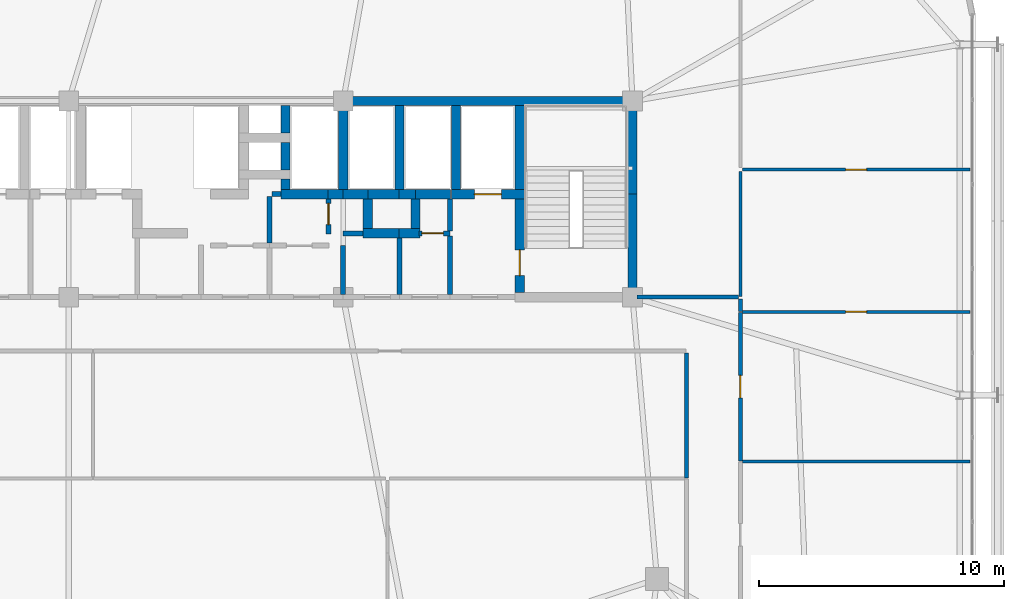
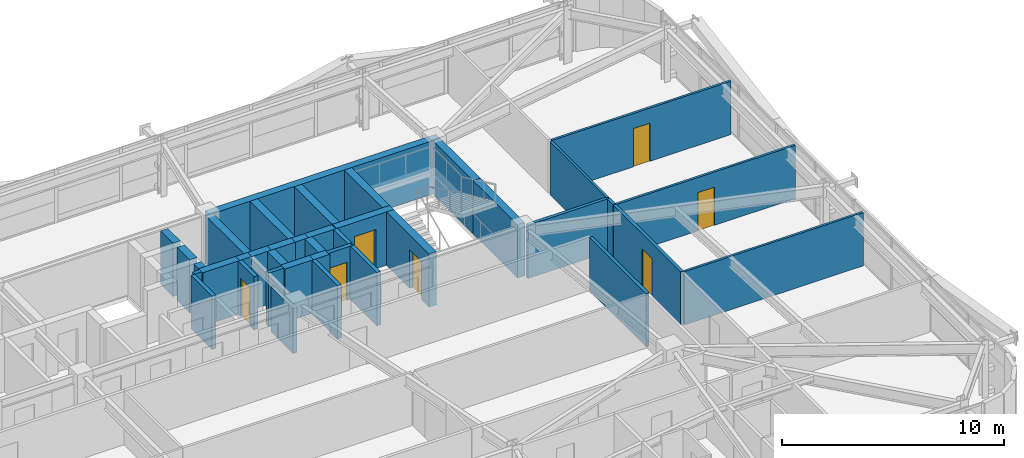
# One storey, part 55 of 59: 39 walls, 7 doors, 7 openings.
"""IFC4 building model written with IfcOpenShell, lengths in metres."""

from ifc_helpers import new_model, si_unit, direction, frame, frame_2d, origin, place, context, subcontext, project, spatial, rectangle, extrude, source, transform, mapped, material, layer, layer_set, type_object, element, fill, save


model = new_model("IFC4")

# Units and contexts
model_context = context("Model", 3, precision=1e-05, world=origin(), true_north=direction((0.0, 1.0)))
body_context = subcontext(model_context, "Body", "Model", "MODEL_VIEW")
ifc_project = project(units=[si_unit("LENGTHUNIT", "METRE"), si_unit("AREAUNIT", "SQUARE_METRE"), si_unit("VOLUMEUNIT", "CUBIC_METRE"), si_unit("PLANEANGLEUNIT", "RADIAN"), si_unit("MASSUNIT", "GRAM", prefix="KILO")], contexts=[model_context])

# Site, building, storey
site_placement = place(None, origin())
site = spatial("IfcSite", under=ifc_project, at=site_placement, CompositionType="ELEMENT")
building_placement = place(site_placement, origin())
building = spatial("IfcBuilding", under=site, at=building_placement, Name="Taldren Reach Tower", CompositionType="ELEMENT")
storey_placement = place(building_placement, frame((0.0, 0.0, 26.25)))
storey = spatial("IfcBuildingStorey", under=building, at=storey_placement, Name="L07", CompositionType="ELEMENT", Elevation=26.25)

# Walls
ifc_material_1 = material(Name="Concrete S80 (80 MPa)", Category="concrete")
ifc_layer_1 = layer(ifc_material_1, 0.3798828125)
ifc_layer_set_1 = layer_set([ifc_layer_1], Name="Concrete S80 (80 MPa)")
wall_type_1 = type_object("IfcWallType", Name="IW-CORE-380", PredefinedType="SHEAR", material=ifc_layer_set_1)
shared_shape_1 = source(origin(), body_context, "Body", "SweptSolid", [
    extrude(rectangle(XDim=11.989990234375, YDim=0.3798828125, at=frame_2d((5.9951171875, 0.0))), origin(), (0.0, 0.0, 1.0), 2.929931640625),
])
wall_1_placement = place(storey_placement, frame((39.199951171875, 32.0, 0.0), z_axis=(0.0, 0.0, 1.0), x_axis=(1.0, 0.0, 0.0)))
element("IfcWall", 1, at=wall_1_placement, inside=storey, type_object=wall_type_1, Name="Rear Core Shear Wall W-CORE-L07-NORTH3", PredefinedType="SHEAR", context=body_context, shape_type="MappedRepresentation", body=[
    mapped(shared_shape_1, transform((0.0, 0.0, 0.0), scale=1.0)),
])
shared_shape_2 = source(origin(), body_context, "Body", "SweptSolid", [
    extrude(rectangle(XDim=4.010009765625, YDim=0.3798828125, at=frame_2d((2.0048828125, 0.0))), origin(), (0.0, 0.0, 1.0), 2.929931640625),
])
wall_2_placement = place(storey_placement, frame((51.0, 24.18994140625, 0.0), z_axis=(0.0, 0.0, 1.0), x_axis=(0.0, 1.0, 0.0)))
element("IfcWall", 2, at=wall_2_placement, inside=storey, type_object=wall_type_1, Name="Rear Core Shear Wall W-CORE-L07-EAST1", PredefinedType="SHEAR", context=body_context, shape_type="MappedRepresentation", body=[
    mapped(shared_shape_2, transform((0.0, 0.0, 0.0), scale=1.0)),
])
shared_shape_3 = source(origin(), body_context, "Body", "SweptSolid", [
    extrude(rectangle(XDim=3.610107421875, YDim=0.3798828125, at=frame_2d((1.80517578125, 0.0))), origin(), (0.0, 0.0, 1.0), 2.929931640625),
])
wall_3_placement = place(storey_placement, frame((51.0, 28.199951171875, 0.0), z_axis=(0.0, 0.0, 1.0), x_axis=(0.0, 1.0, 0.0)))
element("IfcWall", 3, at=wall_3_placement, inside=storey, type_object=wall_type_1, Name="Rear Core Shear Wall W-CORE-L07-EAST2", PredefinedType="SHEAR", context=body_context, shape_type="MappedRepresentation", body=[
    mapped(shared_shape_3, transform((0.0, 0.0, 0.0), scale=1.0)),
])
shared_shape_4 = source(origin(), body_context, "Body", "SweptSolid", [
    extrude(rectangle(XDim=3.420166015625, YDim=0.3798828125, at=frame_2d((1.7099609375, 0.0))), origin(), (0.0, 0.0, 1.0), 2.929931640625),
])
for number, where, z_axis, x_axis, name in (
    (4, (46.39990234375, 31.81005859375, 0.0), (0.0, 0.0, 1.0), (0.0, -1.0, 0.0), "Rear Core Shear Wall W-INT-L07-008"),
    (5, (43.800048828125, 31.81005859375, 0.0), (0.0, 0.0, 1.0), (0.0, -1.0, 0.0), "Rear Core Shear Wall W-INT-L07-012"),
    (6, (39.199951171875, 28.389892578125, 0.0), (0.0, 0.0, 1.0), (0.0, 1.0, 0.0), "Rear Core Shear Wall W-INT-L07-037"),
    (7, (41.5, 28.389892578125, 0.0), (0.0, 0.0, 1.0), (0.0, 1.0, 0.0), "Rear Core Shear Wall W-INT-L07-041"),
):
    element("IfcWall", number, at=place(storey_placement, frame(where, z_axis=z_axis, x_axis=x_axis)), inside=storey, type_object=wall_type_1, Name=name, PredefinedType="SHEAR", context=body_context, shape_type="MappedRepresentation", body=[
        mapped(shared_shape_4, transform((0.0, 0.0, 0.0), scale=1.0)),
    ])

# Wall, opening, door
shared_shape_5 = source(origin(), body_context, "Body", "SweptSolid", [
    extrude(rectangle(XDim=3.820068359375, YDim=0.3798828125, at=frame_2d((1.91015625, 0.0))), origin(), (0.0, 0.0, 1.0), 2.929931640625),
])
wall_4_placement = place(storey_placement, frame((46.39990234375, 28.010009765625, 0.0), z_axis=(0.0, 0.0, 1.0), x_axis=(0.0, -1.0, 0.0)))
wall_4 = element("IfcWall", 8, at=wall_4_placement, inside=storey, type_object=wall_type_1, Name="Rear Core Shear Wall W-INT-L07-009", PredefinedType="SHEAR", context=body_context, shape_type="MappedRepresentation", body=[
    mapped(shared_shape_5, transform((0.0, 0.0, 0.0), scale=1.0)),
])
shared_shape_6 = source(origin(), body_context, "Body", "SweptSolid", [
    extrude(rectangle(XDim=1.050048828125, YDim=2.10009765625, at=frame_2d((0.52490234375, 1.050048828125))), frame((0.0, 0.199951171875, 0.0), z_axis=(0.0, -1.0, 0.0), x_axis=(1.0, 0.0, 0.0)), (0.0, 0.0, 1.0), 0.39990234375),
])
opening_1_placement = place(wall_4_placement, frame((2.0849609375, 0.0, 0.0)))
opening_1 = element("IfcOpeningElement", 9, at=opening_1_placement, cuts=wall_4, Name="Opening DF-105", PredefinedType="OPENING", context=body_context, shape_type="MappedRepresentation", body=[
    mapped(shared_shape_6, transform((0.0, 0.0, 0.0), scale=1.0)),
])
ifc_material_2 = material(Name="Fire-Rated Care and Stair Exit Door")
door_type_1 = type_object("IfcDoorType", Name="ID-FIRE-105", OperationType="NOTDEFINED", PredefinedType="DOOR", material=ifc_material_2)
shared_shape_7 = source(origin(), body_context, "Body", "SweptSolid", [
    extrude(rectangle(XDim=1.050048828125, YDim=2.10009765625, at=frame_2d((0.52490234375, 1.050048828125))), frame((0.0, 0.02490234375, 0.0), z_axis=(0.0, -1.0, 0.0), x_axis=(1.0, 0.0, 0.0)), (0.0, 0.0, 1.0), 0.050048828125),
])
door_1_placement = place(opening_1_placement, origin())
door_1 = element("IfcDoor", 10, at=door_1_placement, inside=storey, type_object=door_type_1, Name="Fire Exit Stair Door DR-L07-003", OperationType="SINGLE_SWING_RIGHT", OverallHeight=2.10009765625, OverallWidth=1.050048828125, PredefinedType="DOOR", context=body_context, shape_type="MappedRepresentation", body=[
    mapped(shared_shape_7, transform((0.0, 0.0, 0.0), scale=1.0)),
])
fill(opening_1, door_1)

shared_shape_8 = source(origin(), body_context, "Body", "SweptSolid", [
    extrude(rectangle(XDim=2.97998046875, YDim=0.3798828125, at=frame_2d((1.489990234375, 0.0))), origin(), (0.0, 0.0, 1.0), 2.929931640625),
])
wall_5_placement = place(storey_placement, frame((43.610107421875, 28.199951171875, 0.0), z_axis=(0.0, 0.0, 1.0), x_axis=(1.0, 0.0, 0.0)))
wall_5 = element("IfcWall", 11, at=wall_5_placement, inside=storey, type_object=wall_type_1, Name="Rear Core Shear Wall W-INT-L07-011", PredefinedType="SHEAR", context=body_context, shape_type="MappedRepresentation", body=[
    mapped(shared_shape_8, transform((0.0, 0.0, 0.0), scale=1.0)),
])
shared_shape_9 = source(origin(), body_context, "Body", "SweptSolid", [
    extrude(rectangle(XDim=1.10009765625, YDim=2.14990234375, at=frame_2d((0.550048828125, 1.074951171875))), frame((0.0, 0.199951171875, 0.0), z_axis=(0.0, -1.0, 0.0), x_axis=(1.0, 0.0, 0.0)), (0.0, 0.0, 1.0), 0.39990234375),
])
opening_2_placement = place(wall_5_placement, frame((0.93994140625, 0.0, 0.0)))
opening_2 = element("IfcOpeningElement", 12, at=opening_2_placement, cuts=wall_5, Name="Opening LD-FL2", PredefinedType="OPENING", context=body_context, shape_type="MappedRepresentation", body=[
    mapped(shared_shape_9, transform((0.0, 0.0, 0.0), scale=1.0)),
])
ifc_material_3 = material(Name="Stainless Steel Gr 316 Emergency Lift Landing Door", Category="steel")
door_type_2 = type_object("IfcDoorType", Name="LD-EMG-110", OperationType="SLIDING_TO_LEFT", PredefinedType="DOOR", material=ifc_material_3)
shared_shape_10 = source(origin(), body_context, "Body", "SweptSolid", [
    extrude(rectangle(XDim=1.10009765625, YDim=2.14990234375, at=frame_2d((0.550048828125, 1.074951171875))), frame((0.0, 0.02490234375, 0.0), z_axis=(0.0, -1.0, 0.0), x_axis=(1.0, 0.0, 0.0)), (0.0, 0.0, 1.0), 0.050048828125),
])
door_2_placement = place(opening_2_placement, origin())
door_2 = element("IfcDoor", 13, at=door_2_placement, inside=storey, type_object=door_type_2, Name="Lift Landing Door LD-FL2-L07", OperationType="SLIDING_TO_LEFT", OverallHeight=2.14990234375, OverallWidth=1.10009765625, PredefinedType="DOOR", context=body_context, shape_type="MappedRepresentation", body=[
    mapped(shared_shape_10, transform((0.0, 0.0, 0.0), scale=1.0)),
])
fill(opening_2, door_2)

# Walls
shared_shape_11 = source(origin(), body_context, "Body", "SweptSolid", [
    extrude(rectangle(XDim=1.1201171875, YDim=0.3798828125, at=frame_2d((0.56005859375, 0.0))), origin(), (0.0, 0.0, 1.0), 2.929931640625),
])
for number, where, z_axis, x_axis, name in (
    (14, (36.85009765625, 30.68994140625, 0.0), (0.0, 0.0, 1.0), (0.0, 1.0, 0.0), "Rear Core Shear Wall W-INT-L07-018"),
    (15, (36.85009765625, 29.18994140625, 0.0), (0.0, 0.0, 1.0), (0.0, 1.0, 0.0), "Rear Core Shear Wall W-INT-L07-020"),
):
    element("IfcWall", number, at=place(storey_placement, frame(where, z_axis=z_axis, x_axis=x_axis)), inside=storey, type_object=wall_type_1, Name=name, PredefinedType="SHEAR", context=body_context, shape_type="MappedRepresentation", body=[
        mapped(shared_shape_11, transform((0.0, 0.0, 0.0), scale=1.0)),
    ])
shared_shape_12 = source(origin(), body_context, "Body", "SweptSolid", [
    extrude(rectangle(XDim=1.219970703125, YDim=0.3798828125, at=frame_2d((0.60986328125, 0.0))), origin(), (0.0, 0.0, 1.0), 2.929931640625),
])
for number, where, z_axis, x_axis, name in (
    (16, (40.199951171875, 28.010009765625, 0.0), (0.0, 0.0, 1.0), (0.0, -1.0, 0.0), "Rear Core Shear Wall W-INT-L07-027"),
    (17, (42.14990234375, 26.7900390625, 0.0), (0.0, 0.0, 1.0), (0.0, 1.0, 0.0), "Rear Core Shear Wall W-INT-L07-029"),
):
    element("IfcWall", number, at=place(storey_placement, frame(where, z_axis=z_axis, x_axis=x_axis)), inside=storey, type_object=wall_type_1, Name=name, PredefinedType="SHEAR", context=body_context, shape_type="MappedRepresentation", body=[
        mapped(shared_shape_12, transform((0.0, 0.0, 0.0), scale=1.0)),
    ])
shared_shape_13 = source(origin(), body_context, "Body", "SweptSolid", [
    extrude(rectangle(XDim=1.320068359375, YDim=0.3798828125, at=frame_2d((0.66015625, 0.0))), origin(), (0.0, 0.0, 1.0), 2.929931640625),
])
wall_6_placement = place(storey_placement, frame((41.52001953125, 28.199951171875, 0.0), z_axis=(0.0, 0.0, 1.0), x_axis=(-1.0, 0.0, 0.0)))
element("IfcWall", 18, at=wall_6_placement, inside=storey, type_object=wall_type_1, Name="Rear Core Shear Wall W-INT-L07-024", PredefinedType="SHEAR", context=body_context, shape_type="MappedRepresentation", body=[
    mapped(shared_shape_13, transform((0.0, 0.0, 0.0), scale=1.0)),
])
shared_shape_14 = source(origin(), body_context, "Body", "SweptSolid", [
    extrude(rectangle(XDim=0.669921875, YDim=0.3798828125, at=frame_2d((0.3349609375, 0.0))), origin(), (0.0, 0.0, 1.0), 2.929931640625),
])
wall_7_placement = place(storey_placement, frame((42.14990234375, 28.199951171875, 0.0), z_axis=(0.0, 0.0, 1.0), x_axis=(-1.0, 0.0, 0.0)))
element("IfcWall", 19, at=wall_7_placement, inside=storey, type_object=wall_type_1, Name="Rear Core Shear Wall W-INT-L07-025", PredefinedType="SHEAR", context=body_context, shape_type="MappedRepresentation", body=[
    mapped(shared_shape_14, transform((0.0, 0.0, 0.0), scale=1.0)),
])
ifc_material_4 = material(Name="Concrete S50 (50 MPa)", Category="concrete")
ifc_layer_2 = layer(ifc_material_4, 0.199951171875)
ifc_layer_set_2 = layer_set([ifc_layer_2], Name="Concrete S50 (50 MPa)")
wall_type_2 = type_object("IfcWallType", Name="IW-CORE-200", PredefinedType="SOLIDWALL", material=ifc_layer_set_2)
shared_shape_15 = source(origin(), body_context, "Body", "SweptSolid", [
    extrude(rectangle(XDim=2.309814453125, YDim=0.199951171875, at=frame_2d((1.15478515625, 0.0))), origin(), (0.0, 0.0, 1.0), 2.929931640625),
])
wall_8_placement = place(storey_placement, frame((41.5, 26.409912109375, 0.0), z_axis=(0.0, 0.0, 1.0), x_axis=(0.0, -1.0, 0.0)))
element("IfcWall", 20, at=wall_8_placement, inside=storey, type_object=wall_type_2, Name="Rear Core Shear Wall W-INT-L07-056", PredefinedType="SOLIDWALL", context=body_context, shape_type="MappedRepresentation", body=[
    mapped(shared_shape_15, transform((0.0, 0.0, 0.0), scale=1.0)),
])
shared_shape_16 = source(origin(), body_context, "Body", "SweptSolid", [
    extrude(rectangle(XDim=0.420166015625, YDim=0.3798828125, at=frame_2d((0.2099609375, 0.0))), origin(), (0.0, 0.0, 1.0), 2.929931640625),
])
wall_9_placement = place(storey_placement, frame((36.85009765625, 28.81005859375, 0.0), z_axis=(0.0, 0.0, 1.0), x_axis=(0.0, -1.0, 0.0)))
element("IfcWall", 21, at=wall_9_placement, inside=storey, type_object=wall_type_1, Name="Rear Core Shear Wall W-INT-L07-038", PredefinedType="SHEAR", context=body_context, shape_type="MappedRepresentation", body=[
    mapped(shared_shape_16, transform((0.0, 0.0, 0.0), scale=1.0)),
])
shared_shape_17 = source(origin(), body_context, "Body", "SweptSolid", [
    extrude(rectangle(XDim=1.02001953125, YDim=0.3798828125, at=frame_2d((0.510009765625, 0.0))), origin(), (0.0, 0.0, 1.0), 2.929931640625),
])
wall_10_placement = place(storey_placement, frame((39.199951171875, 28.199951171875, 0.0), z_axis=(0.0, 0.0, 1.0), x_axis=(1.0, 0.0, 0.0)))
element("IfcWall", 22, at=wall_10_placement, inside=storey, type_object=wall_type_1, Name="Rear Core Shear Wall W-INT-L07-042", PredefinedType="SHEAR", context=body_context, shape_type="MappedRepresentation", body=[
    mapped(shared_shape_17, transform((0.0, 0.0, 0.0), scale=1.0)),
])
shared_shape_18 = source(origin(), body_context, "Body", "SweptSolid", [
    extrude(rectangle(XDim=1.440185546875, YDim=0.3798828125, at=frame_2d((0.72021484375, 0.0))), origin(), (0.0, 0.0, 1.0), 2.929931640625),
])
wall_11_placement = place(storey_placement, frame((42.1298828125, 28.199951171875, 0.0), z_axis=(0.0, 0.0, 1.0), x_axis=(1.0, 0.0, 0.0)))
element("IfcWall", 23, at=wall_11_placement, inside=storey, type_object=wall_type_1, Name="Rear Core Shear Wall W-INT-L07-043", PredefinedType="SHEAR", context=body_context, shape_type="MappedRepresentation", body=[
    mapped(shared_shape_18, transform((0.0, 0.0, 0.0), scale=1.0)),
])
shared_shape_19 = source(origin(), body_context, "Body", "SweptSolid", [
    extrude(rectangle(XDim=2.0, YDim=0.199951171875, at=frame_2d((1.0, 0.0))), origin(), (0.0, 0.0, 1.0), 2.469970703125),
])
wall_12_placement = place(storey_placement, frame((39.199951171875, 26.10009765625, 0.0), z_axis=(0.0, 0.0, 1.0), x_axis=(0.0, -1.0, 0.0)))
element("IfcWall", 24, at=wall_12_placement, inside=storey, type_object=wall_type_2, Name="Rear Core Shear Wall W-INT-L07-052", PredefinedType="SOLIDWALL", context=body_context, shape_type="MappedRepresentation", body=[
    mapped(shared_shape_19, transform((0.0, 0.0, 0.0), scale=1.0)),
])
ifc_material_5 = material(Name="Fire-Rated Acoustic Plasterboard Stud Wall", Category="gypsum")
ifc_layer_3 = layer(ifc_material_5, 0.159912109375)
ifc_layer_set_3 = layer_set([ifc_layer_3], Name="Fire-Rated Acoustic Plasterboard Stud Wall")
wall_type_3 = type_object("IfcWallType", Name="IW-FIRE-160", PredefinedType="PARTITIONING", material=ifc_layer_set_3)
shared_shape_20 = source(origin(), body_context, "Body", "SweptSolid", [
    extrude(rectangle(XDim=4.130126953125, YDim=0.159912109375, at=frame_2d((2.06494140625, 0.0))), origin(), (0.0, 0.0, 1.0), 2.929931640625),
])
wall_13_placement = place(storey_placement, frame((51.18994140625, 24.0, 0.0), z_axis=(0.0, 0.0, 1.0), x_axis=(1.0, 0.0, 0.0)))
element("IfcWall", 25, at=wall_13_placement, inside=storey, type_object=wall_type_3, Name="Interior Partition Wall W-INT-L07-076", PredefinedType="PARTITIONING", context=body_context, shape_type="MappedRepresentation", body=[
    mapped(shared_shape_20, transform((0.0, 0.0, 0.0), scale=1.0)),
])
shared_shape_21 = source(origin(), body_context, "Body", "SweptSolid", [
    extrude(rectangle(XDim=5.099853515625, YDim=0.159912109375, at=frame_2d((2.5498046875, 0.0))), origin(), (0.0, 0.0, 1.0), 2.929931640625),
])
wall_14_placement = place(storey_placement, frame((53.199951171875, 16.6201171875, 0.0), z_axis=(0.0, 0.0, 1.0), x_axis=(0.0, 1.0, 0.0)))
element("IfcWall", 26, at=wall_14_placement, inside=storey, type_object=wall_type_3, Name="Interior Partition Wall W-INT-L07-065", PredefinedType="PARTITIONING", context=body_context, shape_type="MappedRepresentation", body=[
    mapped(shared_shape_21, transform((0.0, 0.0, 0.0), scale=1.0)),
])
ifc_material_6 = material(Name="Insulated Residential Stud Partition", Category="gypsum")
ifc_layer_4 = layer(ifc_material_6, 0.1201171875)
ifc_layer_set_4 = layer_set([ifc_layer_4], Name="Insulated Residential Stud Partition")
wall_type_4 = type_object("IfcWallType", Name="IW-PART-120", PredefinedType="PARTITIONING", material=ifc_layer_set_4)
shared_shape_22 = source(origin(), body_context, "Body", "SweptSolid", [
    extrude(rectangle(XDim=9.2900390625, YDim=0.1201171875, at=frame_2d((4.64501953125, 0.0))), origin(), (0.0, 0.0, 1.0), 2.929931640625),
])
wall_15_placement = place(storey_placement, frame((55.47998046875, 17.300048828125, 0.0), z_axis=(0.0, 0.0, 1.0), x_axis=(1.0, 0.0, 0.0)))
element("IfcWall", 27, at=wall_15_placement, inside=storey, type_object=wall_type_4, Name="Interior Partition Wall W-INT-L07-118", PredefinedType="PARTITIONING", context=body_context, shape_type="MappedRepresentation", body=[
    mapped(shared_shape_22, transform((0.0, 0.0, 0.0), scale=1.0)),
])

# Wall, opening, door
wall_16_placement = place(storey_placement, frame((55.47998046875, 23.39990234375, 0.0), z_axis=(0.0, 0.0, 1.0), x_axis=(1.0, 0.0, 0.0)))
wall_16 = element("IfcWall", 28, at=wall_16_placement, inside=storey, type_object=wall_type_4, Name="Interior Partition Wall W-INT-L07-119", PredefinedType="PARTITIONING", context=body_context, shape_type="MappedRepresentation", body=[
    mapped(shared_shape_22, transform((0.0, 0.0, 0.0), scale=1.0)),
])
shared_shape_23 = source(origin(), body_context, "Body", "SweptSolid", [
    extrude(rectangle(XDim=0.860107421875, YDim=2.10009765625, at=frame_2d((0.43017578125, 1.050048828125))), frame((0.0, 0.070068359375, 0.0), z_axis=(0.0, -1.0, 0.0), x_axis=(1.0, 0.0, 0.0)), (0.0, 0.0, 1.0), 0.14013671875),
])
opening_3_placement = place(wall_16_placement, frame((4.215087890625, 0.0, 0.0)))
opening_3 = element("IfcOpeningElement", 29, at=opening_3_placement, cuts=wall_16, Name="Opening DI-086", PredefinedType="OPENING", context=body_context, shape_type="MappedRepresentation", body=[
    mapped(shared_shape_23, transform((0.0, 0.0, 0.0), scale=1.0)),
])
ifc_material_7 = material(Name="Timber Bathroom Door", Category="wood")
door_type_3 = type_object("IfcDoorType", Name="ID-INT-086", OperationType="NOTDEFINED", PredefinedType="DOOR", material=ifc_material_7)
shared_shape_24 = source(origin(), body_context, "Body", "SweptSolid", [
    extrude(rectangle(XDim=0.860107421875, YDim=2.10009765625, at=frame_2d((0.43017578125, 1.050048828125))), frame((0.0, 0.02490234375, 0.0), z_axis=(0.0, -1.0, 0.0), x_axis=(1.0, 0.0, 0.0)), (0.0, 0.0, 1.0), 0.050048828125),
])
door_3_placement = place(opening_3_placement, origin())
door_3 = element("IfcDoor", 30, at=door_3_placement, inside=storey, type_object=door_type_3, Name="Interior Door DR-L07-036", OperationType="SINGLE_SWING_LEFT", OverallHeight=2.10009765625, OverallWidth=0.860107421875, PredefinedType="DOOR", context=body_context, shape_type="MappedRepresentation", body=[
    mapped(shared_shape_24, transform((0.0, 0.0, 0.0), scale=1.0)),
])
fill(opening_3, door_3)

wall_17_placement = place(storey_placement, frame((55.47998046875, 29.199951171875, 0.0), z_axis=(0.0, 0.0, 1.0), x_axis=(1.0, 0.0, 0.0)))
wall_17 = element("IfcWall", 31, at=wall_17_placement, inside=storey, type_object=wall_type_4, Name="Interior Partition Wall W-INT-L07-120", PredefinedType="PARTITIONING", context=body_context, shape_type="MappedRepresentation", body=[
    mapped(shared_shape_22, transform((0.0, 0.0, 0.0), scale=1.0)),
])
opening_4_placement = place(wall_17_placement, frame((4.215087890625, 0.0, 0.0)))
opening_4 = element("IfcOpeningElement", 32, at=opening_4_placement, cuts=wall_17, Name="Opening DI-086", PredefinedType="OPENING", context=body_context, shape_type="MappedRepresentation", body=[
    mapped(shared_shape_23, transform((0.0, 0.0, 0.0), scale=1.0)),
])
door_4_placement = place(opening_4_placement, frame((0.860107421875, 0.0, 0.0), z_axis=(0.0, 0.0, 1.0), x_axis=(-1.0, 0.0, 0.0)))
door_4 = element("IfcDoor", 33, at=door_4_placement, inside=storey, type_object=door_type_3, Name="Interior Door DR-L07-037", OperationType="SINGLE_SWING_LEFT", OverallHeight=2.10009765625, OverallWidth=0.860107421875, PredefinedType="DOOR", context=body_context, shape_type="MappedRepresentation", body=[
    mapped(shared_shape_24, transform((0.0, 0.0, 0.0), scale=1.0)),
])
fill(opening_4, door_4)

# Walls
shared_shape_25 = source(origin(), body_context, "Body", "SweptSolid", [
    extrude(rectangle(XDim=2.39990234375, YDim=0.199951171875, at=frame_2d((1.199951171875, 0.0))), origin(), (0.0, 0.0, 1.0), 2.929931640625),
])
wall_18_placement = place(storey_placement, frame((43.550048828125, 26.5, 0.0), z_axis=(0.0, 0.0, 1.0), x_axis=(0.0, -1.0, 0.0)))
element("IfcWall", 34, at=wall_18_placement, inside=storey, type_object=wall_type_2, Name="Rear Core Shear Wall W-INT-L07-013", PredefinedType="SOLIDWALL", context=body_context, shape_type="MappedRepresentation", body=[
    mapped(shared_shape_25, transform((0.0, 0.0, 0.0), scale=1.0)),
])
shared_shape_26 = source(origin(), body_context, "Body", "SweptSolid", [
    extrude(rectangle(XDim=1.31005859375, YDim=0.199951171875, at=frame_2d((0.655029296875, 0.0))), origin(), (0.0, 0.0, 1.0), 2.929931640625),
])
wall_19_placement = place(storey_placement, frame((43.550048828125, 28.010009765625, 0.0), z_axis=(0.0, 0.0, 1.0), x_axis=(0.0, -1.0, 0.0)))
element("IfcWall", 35, at=wall_19_placement, inside=storey, type_object=wall_type_2, Name="Rear Core Shear Wall W-INT-L07-014", PredefinedType="SOLIDWALL", context=body_context, shape_type="MappedRepresentation", body=[
    mapped(shared_shape_26, transform((0.0, 0.0, 0.0), scale=1.0)),
])
shared_shape_27 = source(origin(), body_context, "Body", "SweptSolid", [
    extrude(rectangle(XDim=1.510009765625, YDim=0.3798828125, at=frame_2d((0.7548828125, 0.0))), origin(), (0.0, 0.0, 1.0), 2.929931640625),
])
wall_20_placement = place(storey_placement, frame((40.010009765625, 26.60009765625, 0.0), z_axis=(0.0, 0.0, 1.0), x_axis=(1.0, 0.0, 0.0)))
element("IfcWall", 36, at=wall_20_placement, inside=storey, type_object=wall_type_1, Name="Rear Core Shear Wall W-INT-L07-026", PredefinedType="SHEAR", context=body_context, shape_type="MappedRepresentation", body=[
    mapped(shared_shape_27, transform((0.0, 0.0, 0.0), scale=1.0)),
])
shared_shape_28 = source(origin(), body_context, "Body", "SweptSolid", [
    extrude(rectangle(XDim=0.860107421875, YDim=0.3798828125, at=frame_2d((0.43017578125, 0.0))), origin(), (0.0, 0.0, 1.0), 2.929931640625),
])
wall_21_placement = place(storey_placement, frame((41.47998046875, 26.60009765625, 0.0), z_axis=(0.0, 0.0, 1.0), x_axis=(1.0, 0.0, 0.0)))
element("IfcWall", 37, at=wall_21_placement, inside=storey, type_object=wall_type_1, Name="Rear Core Shear Wall W-INT-L07-028", PredefinedType="SHEAR", context=body_context, shape_type="MappedRepresentation", body=[
    mapped(shared_shape_28, transform((0.0, 0.0, 0.0), scale=1.0)),
])
shared_shape_29 = source(origin(), body_context, "Body", "SweptSolid", [
    extrude(rectangle(XDim=1.960205078125, YDim=0.3798828125, at=frame_2d((0.97998046875, 0.0))), origin(), (0.0, 0.0, 1.0), 2.929931640625),
])
wall_22_placement = place(storey_placement, frame((36.659912109375, 28.199951171875, 0.0), z_axis=(0.0, 0.0, 1.0), x_axis=(1.0, 0.0, 0.0)))
element("IfcWall", 38, at=wall_22_placement, inside=storey, type_object=wall_type_1, Name="Rear Core Shear Wall W-INT-L07-039", PredefinedType="SHEAR", context=body_context, shape_type="MappedRepresentation", body=[
    mapped(shared_shape_29, transform((0.0, 0.0, 0.0), scale=1.0)),
])
shared_shape_30 = source(origin(), body_context, "Body", "SweptSolid", [
    extrude(rectangle(XDim=0.619873046875, YDim=0.3798828125, at=frame_2d((0.31005859375, 0.0))), origin(), (0.0, 0.0, 1.0), 2.929931640625),
])
wall_23_placement = place(storey_placement, frame((38.580078125, 28.199951171875, 0.0), z_axis=(0.0, 0.0, 1.0), x_axis=(1.0, 0.0, 0.0)))
element("IfcWall", 39, at=wall_23_placement, inside=storey, type_object=wall_type_1, Name="Rear Core Shear Wall W-INT-L07-040", PredefinedType="SHEAR", context=body_context, shape_type="MappedRepresentation", body=[
    mapped(shared_shape_30, transform((0.0, 0.0, 0.0), scale=1.0)),
])
shared_shape_31 = source(origin(), body_context, "Body", "SweptSolid", [
    extrude(rectangle(XDim=1.900146484375, YDim=0.199951171875, at=frame_2d((0.9501953125, 0.0))), origin(), (0.0, 0.0, 1.0), 2.929931640625),
])
wall_24_placement = place(storey_placement, frame((36.199951171875, 28.10009765625, 0.0), z_axis=(0.0, 0.0, 1.0), x_axis=(0.0, -1.0, 0.0)))
element("IfcWall", 40, at=wall_24_placement, inside=storey, type_object=wall_type_2, Name="Rear Core Shear Wall W-INT-L07-049", PredefinedType="SOLIDWALL", context=body_context, shape_type="MappedRepresentation", body=[
    mapped(shared_shape_31, transform((0.0, 0.0, 0.0), scale=1.0)),
])
shared_shape_32 = source(origin(), body_context, "Body", "SweptSolid", [
    extrude(rectangle(XDim=0.35986328125, YDim=0.199951171875, at=frame_2d((0.179931640625, 0.0))), origin(), (0.0, 0.0, 1.0), 2.929931640625),
])
wall_25_placement = place(storey_placement, frame((36.659912109375, 28.199951171875, 0.0), z_axis=(0.0, 0.0, 1.0), x_axis=(-1.0, 0.0, 0.0)))
element("IfcWall", 41, at=wall_25_placement, inside=storey, type_object=wall_type_2, Name="Rear Core Shear Wall W-INT-L07-050", PredefinedType="SOLIDWALL", context=body_context, shape_type="MappedRepresentation", body=[
    mapped(shared_shape_32, transform((0.0, 0.0, 0.0), scale=1.0)),
])

# Wall, opening, door
shared_shape_33 = source(origin(), body_context, "Body", "SweptSolid", [
    extrude(rectangle(XDim=1.429931640625, YDim=0.199951171875, at=frame_2d((0.71484375, 0.0))), origin(), (0.0, 0.0, 1.0), 2.929931640625),
])
wall_26_placement = place(storey_placement, frame((38.60009765625, 28.010009765625, 0.0), z_axis=(0.0, 0.0, 1.0), x_axis=(0.0, -1.0, 0.0)))
wall_26 = element("IfcWall", 42, at=wall_26_placement, inside=storey, type_object=wall_type_2, Name="Rear Core Shear Wall W-INT-L07-054", PredefinedType="SOLIDWALL", context=body_context, shape_type="MappedRepresentation", body=[
    mapped(shared_shape_33, transform((0.0, 0.0, 0.0), scale=1.0)),
])
shared_shape_34 = source(origin(), body_context, "Body", "SweptSolid", [
    extrude(rectangle(XDim=0.860107421875, YDim=2.10009765625, at=frame_2d((0.43017578125, 1.050048828125))), frame((0.0, 0.10986328125, 0.0), z_axis=(0.0, -1.0, 0.0), x_axis=(1.0, 0.0, 0.0)), (0.0, 0.0, 1.0), 0.219970703125),
])
opening_5_placement = place(wall_26_placement, frame((0.18994140625, 0.0, 0.0)))
opening_5 = element("IfcOpeningElement", 43, at=opening_5_placement, cuts=wall_26, Name="Opening DI-086", PredefinedType="OPENING", context=body_context, shape_type="MappedRepresentation", body=[
    mapped(shared_shape_34, transform((0.0, 0.0, 0.0), scale=1.0)),
])
door_5_placement = place(opening_5_placement, origin())
door_5 = element("IfcDoor", 44, at=door_5_placement, inside=storey, type_object=door_type_3, Name="Interior Door DR-L07-034", OperationType="SINGLE_SWING_LEFT", OverallHeight=2.10009765625, OverallWidth=0.860107421875, PredefinedType="DOOR", context=body_context, shape_type="MappedRepresentation", body=[
    mapped(shared_shape_24, transform((0.0, 0.0, 0.0), scale=1.0)),
])
fill(opening_5, door_5)

# Wall
shared_shape_35 = source(origin(), body_context, "Body", "SweptSolid", [
    extrude(rectangle(XDim=0.81005859375, YDim=0.199951171875, at=frame_2d((0.405029296875, 0.0))), origin(), (0.0, 0.0, 1.0), 2.929931640625),
])
wall_27_placement = place(storey_placement, frame((39.199951171875, 26.60009765625, 0.0), z_axis=(0.0, 0.0, 1.0), x_axis=(1.0, 0.0, 0.0)))
element("IfcWall", 45, at=wall_27_placement, inside=storey, type_object=wall_type_2, Name="Rear Core Shear Wall W-INT-L07-055", PredefinedType="SOLIDWALL", context=body_context, shape_type="MappedRepresentation", body=[
    mapped(shared_shape_35, transform((0.0, 0.0, 0.0), scale=1.0)),
])

# Wall, opening, door
shared_shape_36 = source(origin(), body_context, "Body", "SweptSolid", [
    extrude(rectangle(XDim=1.25, YDim=0.199951171875, at=frame_2d((0.625, 0.0))), origin(), (0.0, 0.0, 1.0), 2.929931640625),
])
wall_28_placement = place(storey_placement, frame((42.300048828125, 26.60009765625, 0.0), z_axis=(0.0, 0.0, 1.0), x_axis=(1.0, 0.0, 0.0)))
wall_28 = element("IfcWall", 46, at=wall_28_placement, inside=storey, type_object=wall_type_2, Name="Rear Core Shear Wall W-INT-L07-058", PredefinedType="SOLIDWALL", context=body_context, shape_type="MappedRepresentation", body=[
    mapped(shared_shape_36, transform((0.0, 0.0, 0.0), scale=1.0)),
])
shared_shape_37 = source(origin(), body_context, "Body", "SweptSolid", [
    extrude(rectangle(XDim=0.8798828125, YDim=2.10009765625, at=frame_2d((0.43994140625, 1.050048828125))), frame((0.0, 0.10986328125, 0.0), z_axis=(0.0, -1.0, 0.0), x_axis=(1.0, 0.0, 0.0)), (0.0, 0.0, 1.0), 0.219970703125),
])
opening_6_placement = place(wall_28_placement, frame((0.110107421875, 0.0, 0.0)))
opening_6 = element("IfcOpeningElement", 47, at=opening_6_placement, cuts=wall_28, Name="Opening DF-088", PredefinedType="OPENING", context=body_context, shape_type="MappedRepresentation", body=[
    mapped(shared_shape_37, transform((0.0, 0.0, 0.0), scale=1.0)),
])
ifc_material_8 = material(Name="Fire-Rated Service Closet Door")
door_type_4 = type_object("IfcDoorType", Name="ID-FIRE-088", OperationType="NOTDEFINED", PredefinedType="DOOR", material=ifc_material_8)
shared_shape_38 = source(origin(), body_context, "Body", "SweptSolid", [
    extrude(rectangle(XDim=0.8798828125, YDim=2.10009765625, at=frame_2d((0.43994140625, 1.050048828125))), frame((0.0, 0.02490234375, 0.0), z_axis=(0.0, -1.0, 0.0), x_axis=(1.0, 0.0, 0.0)), (0.0, 0.0, 1.0), 0.050048828125),
])
door_6_placement = place(opening_6_placement, origin())
door_6 = element("IfcDoor", 48, at=door_6_placement, inside=storey, type_object=door_type_4, Name="Interior Door DR-L07-012", OperationType="SINGLE_SWING_LEFT", OverallHeight=2.10009765625, OverallWidth=0.8798828125, PredefinedType="DOOR", context=body_context, shape_type="MappedRepresentation", body=[
    mapped(shared_shape_38, transform((0.0, 0.0, 0.0), scale=1.0)),
])
fill(opening_6, door_6)

shared_shape_39 = source(origin(), body_context, "Body", "SweptSolid", [
    extrude(rectangle(XDim=6.0595703125, YDim=0.159912109375, at=frame_2d((3.02978515625, 0.0))), origin(), (0.0, 0.0, 1.0), 2.929931640625),
])
wall_29_placement = place(storey_placement, frame((55.39990234375, 23.3798828125, 0.0), z_axis=(0.0, 0.0, 1.0), x_axis=(0.0, -1.0, 0.0)))
wall_29 = element("IfcWall", 49, at=wall_29_placement, inside=storey, type_object=wall_type_3, Name="Interior Partition Wall W-INT-L07-073", PredefinedType="PARTITIONING", context=body_context, shape_type="MappedRepresentation", body=[
    mapped(shared_shape_39, transform((0.0, 0.0, 0.0), scale=1.0)),
])
shared_shape_40 = source(origin(), body_context, "Body", "SweptSolid", [
    extrude(rectangle(XDim=0.919921875, YDim=2.10009765625, at=frame_2d((0.4599609375, 1.050048828125))), frame((0.0, 0.08984375, 0.0), z_axis=(0.0, -1.0, 0.0), x_axis=(1.0, 0.0, 0.0)), (0.0, 0.0, 1.0), 0.179931640625),
])
opening_7_placement = place(wall_29_placement, frame((2.56982421875, 0.0, 0.0)))
opening_7 = element("IfcOpeningElement", 50, at=opening_7_placement, cuts=wall_29, Name="Opening DI-092", PredefinedType="OPENING", context=body_context, shape_type="MappedRepresentation", body=[
    mapped(shared_shape_40, transform((0.0, 0.0, 0.0), scale=1.0)),
])
ifc_material_9 = material(Name="Solid-Core Timber Suite Door", Category="wood")
door_type_5 = type_object("IfcDoorType", Name="ID-INT-092", OperationType="NOTDEFINED", PredefinedType="DOOR", material=ifc_material_9)
shared_shape_41 = source(origin(), body_context, "Body", "SweptSolid", [
    extrude(rectangle(XDim=0.919921875, YDim=2.10009765625, at=frame_2d((0.4599609375, 1.050048828125))), frame((0.0, 0.02490234375, 0.0), z_axis=(0.0, -1.0, 0.0), x_axis=(1.0, 0.0, 0.0)), (0.0, 0.0, 1.0), 0.050048828125),
])
door_7_placement = place(opening_7_placement, origin())
door_7 = element("IfcDoor", 51, at=door_7_placement, inside=storey, type_object=door_type_5, Name="Interior Door DR-L07-023", OperationType="SINGLE_SWING_RIGHT", OverallHeight=2.10009765625, OverallWidth=0.919921875, PredefinedType="DOOR", context=body_context, shape_type="MappedRepresentation", body=[
    mapped(shared_shape_41, transform((0.0, 0.0, 0.0), scale=1.0)),
])
fill(opening_7, door_7)

# Walls
shared_shape_42 = source(origin(), body_context, "Body", "SweptSolid", [
    extrude(rectangle(XDim=0.499755859375, YDim=0.159912109375, at=frame_2d((0.25, 0.0))), origin(), (0.0, 0.0, 1.0), 2.929931640625),
])
wall_30_placement = place(storey_placement, frame((55.39990234375, 23.919921875, 0.0), z_axis=(0.0, 0.0, 1.0), x_axis=(0.0, -1.0, 0.0)))
element("IfcWall", 52, at=wall_30_placement, inside=storey, type_object=wall_type_3, Name="Interior Partition Wall W-INT-L07-074", PredefinedType="PARTITIONING", context=body_context, shape_type="MappedRepresentation", body=[
    mapped(shared_shape_42, transform((0.0, 0.0, 0.0), scale=1.0)),
])
shared_shape_43 = source(origin(), body_context, "Body", "SweptSolid", [
    extrude(rectangle(XDim=5.099853515625, YDim=0.1201171875, at=frame_2d((2.5498046875, 0.0))), origin(), (0.0, 0.0, 1.0), 2.929931640625),
])
wall_31_placement = place(storey_placement, frame((55.39990234375, 24.020263671875, 0.0), z_axis=(0.0, 0.0, 1.0), x_axis=(0.0, 1.0, 0.0)))
element("IfcWall", 53, at=wall_31_placement, inside=storey, type_object=wall_type_4, Name="Interior Partition Wall W-INT-L07-121", PredefinedType="PARTITIONING", context=body_context, shape_type="MappedRepresentation", body=[
    mapped(shared_shape_43, transform((0.0, 0.0, 0.0), scale=1.0)),
])

save(model, "model.ifc")
